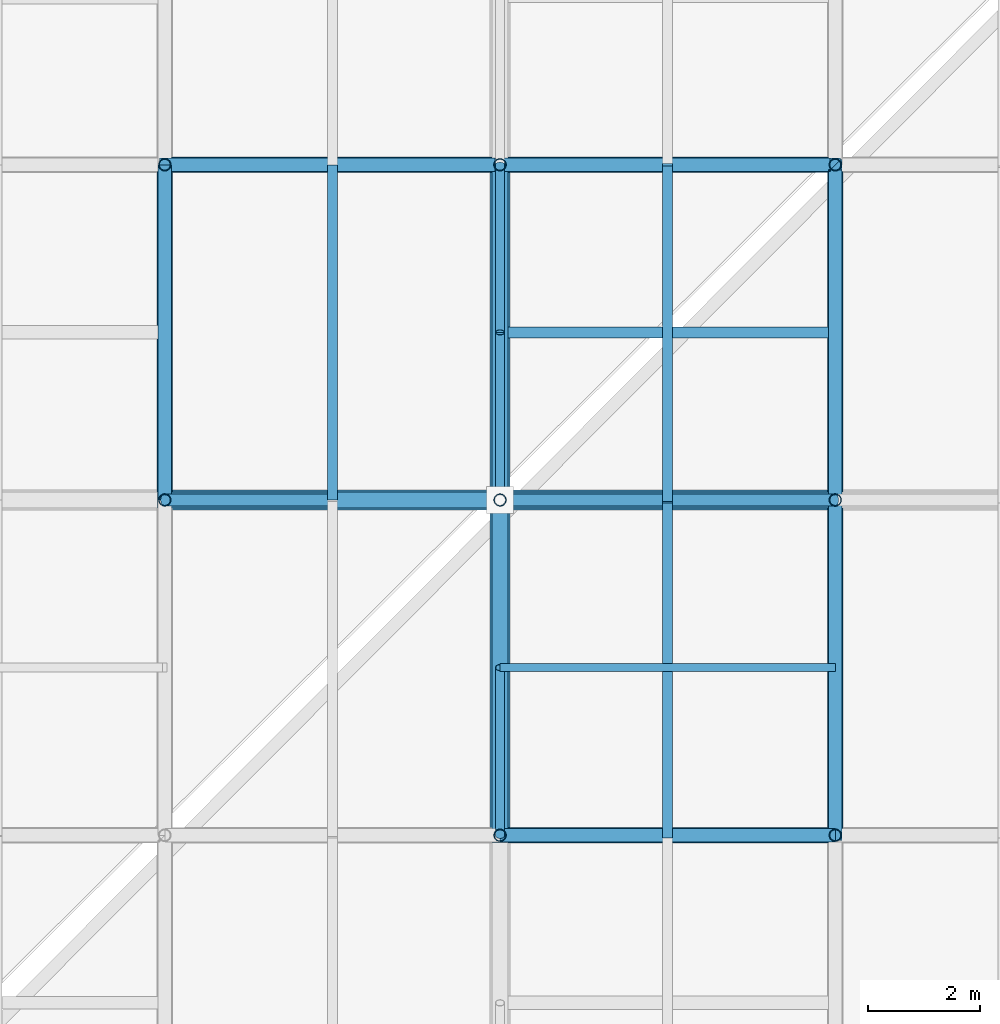
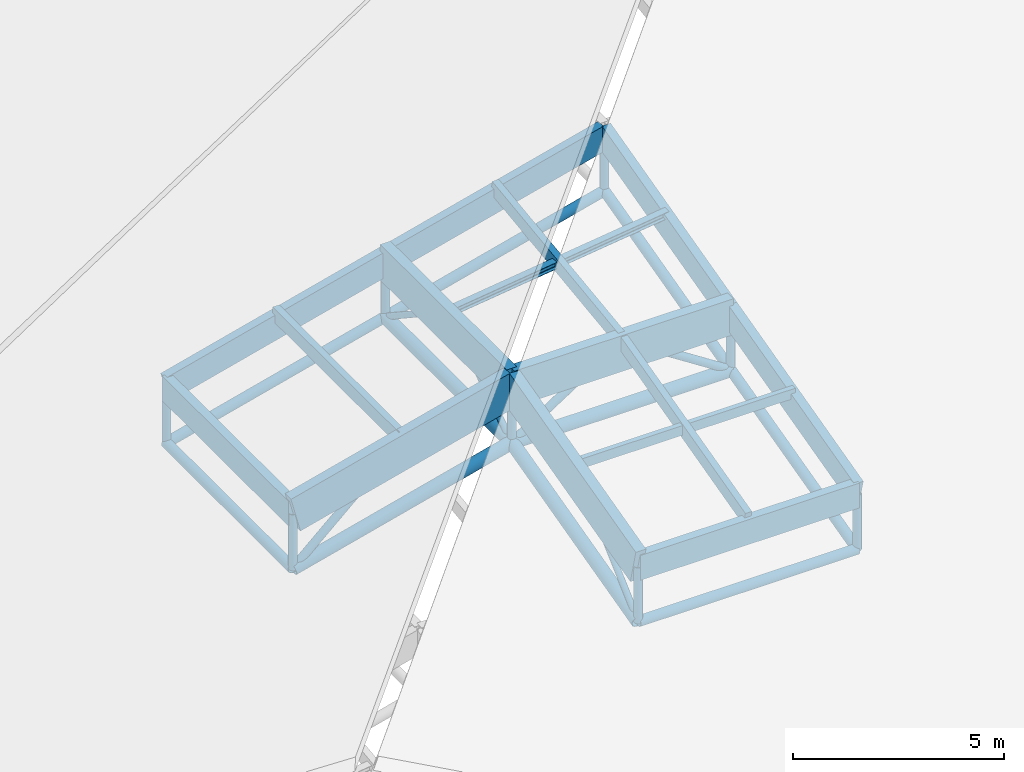
# One storey, part 7 of 80: 39 members.
"""IFC4 building model written with IfcOpenShell, lengths in metres."""

from ifc_helpers import new_model, si_unit, direction, frame, origin, origin_2d, place, context, subcontext, project, spatial, rectangle, hollow_circle, i_section, extrude, material, material_profile, profile_set, type_object, element, save


model = new_model("IFC4")

# Units and contexts
model_context = context("Model", 3, precision=1e-05, world=origin(), true_north=direction((0.0, 1.0)))
body_context = subcontext(model_context, "Body", "Model", "MODEL_VIEW")
ifc_project = project(units=[si_unit("LENGTHUNIT", "METRE"), si_unit("AREAUNIT", "SQUARE_METRE"), si_unit("VOLUMEUNIT", "CUBIC_METRE"), si_unit("PLANEANGLEUNIT", "RADIAN"), si_unit("MASSUNIT", "GRAM", prefix="KILO"), si_unit("THERMODYNAMICTEMPERATUREUNIT", "KELVIN"), si_unit("POWERUNIT", "WATT")], contexts=[model_context])

# Site, building, storey
site_placement = place(None, origin())
site = spatial("IfcSite", under=ifc_project, at=site_placement, CompositionType="ELEMENT")
building_placement = place(site_placement, origin())
building = spatial("IfcBuilding", under=site, at=building_placement, Name="Solmara Park Aquatics Centre", CompositionType="ELEMENT")
storey_placement = place(building_placement, frame((0.0, 0.0, 22.800048828125)))
storey = spatial("IfcBuildingStorey", under=building, at=storey_placement, Name="RF", CompositionType="ELEMENT", Elevation=22.800048828125)

# Members
ifc_material_1 = material(Name="Structural Steel S355", Category="steel")
ifc_material_profile_1 = material_profile(ifc_material_1, hollow_circle(Radius=0.084228515625, WallThickness=0.008056640625, at=origin_2d()), Name="CHS 168.3x8")
ifc_profile_set_1 = profile_set([ifc_material_profile_1], Name="Structural Steel S355")
member_type_1 = type_object("IfcMemberType", Name="STR-BRC-CHS168", PredefinedType="BRACE", material=ifc_profile_set_1)
member_1_placement = place(storey_placement, frame((24.60009765625, 18.60009765625, -9.58984375), z_axis=(0.0, 0.736437262703, 0.67650584484), x_axis=(-1.0, 0.0, 0.0)))
element("IfcMember", 1, at=member_1_placement, inside=storey, type_object=member_type_1, Name="Roof Truss Web Diagonal Y 1917", PredefinedType="BRACE", context=body_context, shape_type="SweptSolid", body=[
    extrude(hollow_circle(Radius=0.084228515625, WallThickness=0.008056640625, at=origin_2d()), origin(), (0.0, 0.0, 1.0), 4.07373046875),
])
for number, where, z_axis, x_axis, name in (
    (2, (24.60009765625, 24.60009765625, -8.0380859375), (0.0, 0.834611904619, 0.550838423377), (-1.0, 0.0, 0.0), "Roof Truss Web Diagonal Y 1940"),
    (3, (24.60009765625, 30.60009765625, -8.0380859375), (0.0, -0.834611904619, 0.550838423377), (1.0, 0.0, 0.0), "Roof Truss Web Diagonal Y 1941"),
):
    element("IfcMember", number, at=place(storey_placement, frame(where, z_axis=z_axis, x_axis=x_axis)), inside=storey, type_object=member_type_1, Name=name, PredefinedType="BRACE", context=body_context, shape_type="SweptSolid", body=[
        extrude(hollow_circle(Radius=0.084228515625, WallThickness=0.008056640625, at=origin_2d()), origin(), (0.0, 0.0, 1.0), 3.594482421875),
    ])
ifc_material_profile_2 = material_profile(ifc_material_1, hollow_circle(Radius=0.109619140625, WallThickness=0.010009765625, at=origin_2d()), Name="CHS 219.1x10")
ifc_profile_set_2 = profile_set([ifc_material_profile_2], Name="Structural Steel S355")
member_type_2 = type_object("IfcMemberType", Name="STR-BRC-CHS219", PredefinedType="BRACE", material=ifc_profile_set_2)
member_2_placement = place(storey_placement, frame((18.60009765625, 24.60009765625, -9.58984375), z_axis=(0.741347083846, 0.0, 0.671121822974), x_axis=(0.0, 1.0, 0.0)))
element("IfcMember", 4, at=member_2_placement, inside=storey, type_object=member_type_2, Name="Roof Truss Web Diagonal X 1439", PredefinedType="BRACE", context=body_context, shape_type="SweptSolid", body=[
    extrude(hollow_circle(Radius=0.109619140625, WallThickness=0.010009765625, at=origin_2d()), origin(), (0.0, 0.0, 1.0), 4.046630859375),
])
for number, where, z_axis, x_axis, name in (
    (5, (24.60009765625, 24.60009765625, -8.0380859375), (0.83972779743, 0.0, 0.543007574738), (0.0, 1.0, 0.0), "Roof Truss Web Diagonal X 1465"),
    (6, (30.60009765625, 24.60009765625, -8.0380859375), (-0.83972779743, 0.0, 0.543007574738), (0.0, -1.0, 0.0), "Roof Truss Web Diagonal X 1466"),
):
    element("IfcMember", number, at=place(storey_placement, frame(where, z_axis=z_axis, x_axis=x_axis)), inside=storey, type_object=member_type_2, Name=name, PredefinedType="BRACE", context=body_context, shape_type="SweptSolid", body=[
        extrude(hollow_circle(Radius=0.109619140625, WallThickness=0.010009765625, at=origin_2d()), origin(), (0.0, 0.0, 1.0), 3.572509765625),
    ])
ifc_material_profile_3 = material_profile(ifc_material_1, hollow_circle(Radius=0.136474609375, WallThickness=0.012451171875, at=origin_2d()), Name="CHS 273x12.5")
ifc_profile_set_3 = profile_set([ifc_material_profile_3], Name="Structural Steel S355")
member_type_3 = type_object("IfcMemberType", Name="STR-CHD-CHS273", PredefinedType="CHORD", material=ifc_profile_set_3)
member_3_placement = place(storey_placement, frame((24.60009765625, 18.60009765625, -9.58984375), z_axis=(1.0, 0.0, 0.0), x_axis=(0.0, 1.0, 0.0)))
element("IfcMember", 7, at=member_3_placement, inside=storey, type_object=member_type_3, Name="Steel Roof Truss Bottom Chord X 0118", PredefinedType="CHORD", context=body_context, shape_type="SweptSolid", body=[
    extrude(hollow_circle(Radius=0.136474609375, WallThickness=0.012451171875, at=origin_2d()), origin(), (0.0, 0.0, 1.0), 6.0),
])
for number, where, z_axis, x_axis, name in (
    (8, (18.60009765625, 30.60009765625, -9.58984375), (0.968145594442, 0.0, 0.250387914969), (0.0, 1.0, 0.0), "Steel Roof Truss Bottom Chord X 0188"),
    (9, (24.60009765625, 30.60009765625, -8.0380859375), (0.968145594442, 0.0, 0.250387914969), (0.0, 1.0, 0.0), "Steel Roof Truss Bottom Chord X 0190"),
):
    element("IfcMember", number, at=place(storey_placement, frame(where, z_axis=z_axis, x_axis=x_axis)), inside=storey, type_object=member_type_3, Name=name, PredefinedType="CHORD", context=body_context, shape_type="SweptSolid", body=[
        extrude(hollow_circle(Radius=0.136474609375, WallThickness=0.012451171875, at=origin_2d()), origin(), (0.0, 0.0, 1.0), 6.197509765625),
    ])
member_4_placement = place(storey_placement, frame((18.60009765625, 24.60009765625, -9.58984375), z_axis=(0.0, 1.0, 0.0), x_axis=(-1.0, 0.0, 0.0)))
element("IfcMember", 10, at=member_4_placement, inside=storey, type_object=member_type_3, Name="Steel Roof Truss Bottom Chord Y 0634", PredefinedType="CHORD", context=body_context, shape_type="SweptSolid", body=[
    extrude(hollow_circle(Radius=0.136474609375, WallThickness=0.012451171875, at=origin_2d()), origin(), (0.0, 0.0, 1.0), 6.0),
])
for number, where, z_axis, x_axis, name in (
    (11, (30.60009765625, 18.60009765625, -9.58984375), (0.0, 0.968145594442, 0.250387914969), (-1.0, 0.0, 0.0), "Steel Roof Truss Bottom Chord Y 0688"),
    (12, (30.60009765625, 24.60009765625, -8.0380859375), (0.0, 0.968145594442, 0.250387914969), (-1.0, 0.0, 0.0), "Steel Roof Truss Bottom Chord Y 0690"),
):
    element("IfcMember", number, at=place(storey_placement, frame(where, z_axis=z_axis, x_axis=x_axis)), inside=storey, type_object=member_type_3, Name=name, PredefinedType="CHORD", context=body_context, shape_type="SweptSolid", body=[
        extrude(hollow_circle(Radius=0.136474609375, WallThickness=0.012451171875, at=origin_2d()), origin(), (0.0, 0.0, 1.0), 6.197509765625),
    ])
ifc_material_profile_4 = material_profile(ifc_material_1, hollow_circle(Radius=0.177734375, WallThickness=0.01611328125, at=origin_2d()), Name="CHS 355.6x16")
ifc_profile_set_4 = profile_set([ifc_material_profile_4], Name="Structural Steel S355")
member_type_4 = type_object("IfcMemberType", Name="STR-CHD-CHS355", PredefinedType="CHORD", material=ifc_profile_set_4)
member_5_placement = place(storey_placement, frame((18.60009765625, 24.60009765625, -9.58984375), z_axis=(0.968145594442, 0.0, 0.250387914969), x_axis=(0.0, 1.0, 0.0)))
element("IfcMember", 13, at=member_5_placement, inside=storey, type_object=member_type_4, Name="Steel Roof Truss Bottom Chord X 0152", PredefinedType="CHORD", context=body_context, shape_type="SweptSolid", body=[
    extrude(hollow_circle(Radius=0.177734375, WallThickness=0.01611328125, at=origin_2d()), origin(), (0.0, 0.0, 1.0), 6.197509765625),
])
member_6_placement = place(storey_placement, frame((24.60009765625, 24.60009765625, -8.0380859375), z_axis=(1.0, 0.0, 0.0), x_axis=(0.0, 1.0, 0.0)))
element("IfcMember", 14, at=member_6_placement, inside=storey, type_object=member_type_4, Name="Steel Roof Truss Bottom Chord X 0154", PredefinedType="CHORD", context=body_context, shape_type="SweptSolid", body=[
    extrude(hollow_circle(Radius=0.177734375, WallThickness=0.01611328125, at=origin_2d()), origin(), (0.0, 0.0, 1.0), 6.0),
])
member_7_placement = place(storey_placement, frame((24.60009765625, 18.60009765625, -9.58984375), z_axis=(0.0, 0.968145594442, 0.250387914969), x_axis=(-1.0, 0.0, 0.0)))
element("IfcMember", 15, at=member_7_placement, inside=storey, type_object=member_type_4, Name="Steel Roof Truss Bottom Chord Y 0660", PredefinedType="CHORD", context=body_context, shape_type="SweptSolid", body=[
    extrude(hollow_circle(Radius=0.177734375, WallThickness=0.01611328125, at=origin_2d()), origin(), (0.0, 0.0, 1.0), 6.197509765625),
])
member_8_placement = place(storey_placement, frame((24.60009765625, 24.60009765625, -8.0380859375), z_axis=(0.0, 1.0, 0.0), x_axis=(-1.0, 0.0, 0.0)))
element("IfcMember", 16, at=member_8_placement, inside=storey, type_object=member_type_4, Name="Steel Roof Truss Bottom Chord Y 0662", PredefinedType="CHORD", context=body_context, shape_type="SweptSolid", body=[
    extrude(hollow_circle(Radius=0.177734375, WallThickness=0.01611328125, at=origin_2d()), origin(), (0.0, 0.0, 1.0), 6.0),
])
ifc_material_2 = material(Name="Glulam Timber GL28h", Category="wood")
ifc_material_profile_5 = material_profile(ifc_material_2, rectangle(XDim=0.239990234375, YDim=0.719970703125, at=origin_2d()), Name="GL28h 240x720")
ifc_profile_set_5 = profile_set([ifc_material_profile_5], Name="Glulam Timber GL28h")
member_type_5 = type_object("IfcMemberType", Name="STR-CHD-GL240x720", PredefinedType="CHORD", material=ifc_profile_set_5)
member_9_placement = place(storey_placement, frame((24.60009765625, 18.60009765625, -7.9697265625), z_axis=(1.0, 0.0, 0.0), x_axis=(0.0, 1.0, 0.0)))
element("IfcMember", 17, at=member_9_placement, inside=storey, type_object=member_type_5, Name="Glulam Roof Truss Top Chord X 0117", PredefinedType="CHORD", context=body_context, shape_type="SweptSolid", body=[
    extrude(rectangle(XDim=0.239990234375, YDim=0.719970703125, at=origin_2d()), origin(), (0.0, 0.0, 1.0), 6.0),
])
member_10_placement = place(storey_placement, frame((18.60009765625, 30.60009765625, -7.9697265625), z_axis=(0.968145594442, 0.0, 0.250387914969), x_axis=(0.0, 1.0, 0.0)))
element("IfcMember", 18, at=member_10_placement, inside=storey, type_object=member_type_5, Name="Glulam Roof Truss Top Chord X 0187", PredefinedType="CHORD", context=body_context, shape_type="SweptSolid", body=[
    extrude(rectangle(XDim=0.239990234375, YDim=0.719970703125, at=origin_2d()), origin(), (0.0, 0.0, 1.0), 6.197509765625),
])
member_11_placement = place(storey_placement, frame((24.60009765625, 30.60009765625, -6.41796875), z_axis=(0.968155143395, 0.0, 0.250350990246), x_axis=(0.0, 1.0, 0.0)))
element("IfcMember", 19, at=member_11_placement, inside=storey, type_object=member_type_5, Name="Glulam Roof Truss Top Chord X 0189", PredefinedType="CHORD", context=body_context, shape_type="SweptSolid", body=[
    extrude(rectangle(XDim=0.239990234375, YDim=0.719970703125, at=origin_2d()), origin(), (0.0, 0.0, 1.0), 6.197265625),
])
member_12_placement = place(storey_placement, frame((18.60009765625, 24.60009765625, -7.9697265625), z_axis=(0.0, 1.0, 0.0), x_axis=(-1.0, 0.0, 0.0)))
element("IfcMember", 20, at=member_12_placement, inside=storey, type_object=member_type_5, Name="Glulam Roof Truss Top Chord Y 0633", PredefinedType="CHORD", context=body_context, shape_type="SweptSolid", body=[
    extrude(rectangle(XDim=0.239990234375, YDim=0.719970703125, at=origin_2d()), origin(), (0.0, 0.0, 1.0), 6.0),
])
member_13_placement = place(storey_placement, frame((30.60009765625, 18.60009765625, -7.9697265625), z_axis=(0.0, 0.968145594442, 0.250387914969), x_axis=(-1.0, 0.0, 0.0)))
element("IfcMember", 21, at=member_13_placement, inside=storey, type_object=member_type_5, Name="Glulam Roof Truss Top Chord Y 0687", PredefinedType="CHORD", context=body_context, shape_type="SweptSolid", body=[
    extrude(rectangle(XDim=0.239990234375, YDim=0.719970703125, at=origin_2d()), origin(), (0.0, 0.0, 1.0), 6.197509765625),
])
member_14_placement = place(storey_placement, frame((30.60009765625, 24.60009765625, -6.41796875), z_axis=(0.0, 0.968155143395, 0.250350990246), x_axis=(-1.0, 0.0, 0.0)))
element("IfcMember", 22, at=member_14_placement, inside=storey, type_object=member_type_5, Name="Glulam Roof Truss Top Chord Y 0689", PredefinedType="CHORD", context=body_context, shape_type="SweptSolid", body=[
    extrude(rectangle(XDim=0.239990234375, YDim=0.719970703125, at=origin_2d()), origin(), (0.0, 0.0, 1.0), 6.197265625),
])
ifc_material_profile_6 = material_profile(ifc_material_2, rectangle(XDim=0.280029296875, YDim=1.0400390625, at=origin_2d()), Name="GL28h 280x1040")
ifc_profile_set_6 = profile_set([ifc_material_profile_6], Name="Glulam Timber GL28h")
member_type_6 = type_object("IfcMemberType", Name="STR-CHD-GL280x1040", PredefinedType="CHORD", material=ifc_profile_set_6)
member_15_placement = place(storey_placement, frame((18.60009765625, 24.60009765625, -7.9697265625), z_axis=(0.968145594442, 0.0, 0.250387914969), x_axis=(0.0, 1.0, 0.0)))
element("IfcMember", 23, at=member_15_placement, inside=storey, type_object=member_type_6, Name="Glulam Roof Truss Top Chord X 0151", PredefinedType="CHORD", context=body_context, shape_type="SweptSolid", body=[
    extrude(rectangle(XDim=0.280029296875, YDim=1.0400390625, at=origin_2d()), origin(), (0.0, 0.0, 1.0), 6.197509765625),
])
member_16_placement = place(storey_placement, frame((24.60009765625, 24.60009765625, -6.41796875), z_axis=(1.0, 0.0, 0.0), x_axis=(0.0, 1.0, 0.0)))
element("IfcMember", 24, at=member_16_placement, inside=storey, type_object=member_type_6, Name="Glulam Roof Truss Top Chord X 0153", PredefinedType="CHORD", context=body_context, shape_type="SweptSolid", body=[
    extrude(rectangle(XDim=0.280029296875, YDim=1.0400390625, at=origin_2d()), origin(), (0.0, 0.0, 1.0), 6.0),
])
member_17_placement = place(storey_placement, frame((24.60009765625, 18.60009765625, -7.9697265625), z_axis=(0.0, 0.968145594442, 0.250387914969), x_axis=(-1.0, 0.0, 0.0)))
element("IfcMember", 25, at=member_17_placement, inside=storey, type_object=member_type_6, Name="Glulam Roof Truss Top Chord Y 0659", PredefinedType="CHORD", context=body_context, shape_type="SweptSolid", body=[
    extrude(rectangle(XDim=0.280029296875, YDim=1.0400390625, at=origin_2d()), origin(), (0.0, 0.0, 1.0), 6.197509765625),
])
member_18_placement = place(storey_placement, frame((24.60009765625, 24.60009765625, -6.41796875), z_axis=(0.0, 1.0, 0.0), x_axis=(-1.0, 0.0, 0.0)))
element("IfcMember", 26, at=member_18_placement, inside=storey, type_object=member_type_6, Name="Glulam Roof Truss Top Chord Y 0661", PredefinedType="CHORD", context=body_context, shape_type="SweptSolid", body=[
    extrude(rectangle(XDim=0.280029296875, YDim=1.0400390625, at=origin_2d()), origin(), (0.0, 0.0, 1.0), 6.0),
])
ifc_material_profile_7 = material_profile(ifc_material_2, rectangle(XDim=0.139892578125, YDim=0.280029296875, at=origin_2d()), Name="GL28h 140x280")
ifc_profile_set_7 = profile_set([ifc_material_profile_7], Name="Glulam Timber GL28h")
member_type_7 = type_object("IfcMemberType", Name="STR-PRL-GL140x280", PredefinedType="PURLIN", material=ifc_profile_set_7)
member_19_placement = place(storey_placement, frame((24.60009765625, 21.60009765625, -6.85400390625), z_axis=(1.0, 0.0, 0.0), x_axis=(0.0, 1.0, 0.0)))
element("IfcMember", 27, at=member_19_placement, inside=storey, type_object=member_type_7, Name="Glulam Secondary Roof Purlin 1906", PredefinedType="PURLIN", context=body_context, shape_type="SweptSolid", body=[
    extrude(rectangle(XDim=0.139892578125, YDim=0.280029296875, at=origin_2d()), origin(), (0.0, 0.0, 1.0), 6.0),
])
ifc_material_profile_8 = material_profile(ifc_material_2, rectangle(XDim=0.179931640625, YDim=0.39990234375, at=origin_2d()), Name="GL28h 180x400")
ifc_profile_set_8 = profile_set([ifc_material_profile_8], Name="Glulam Timber GL28h")
member_type_8 = type_object("IfcMemberType", Name="STR-PRL-GL180x400", PredefinedType="PURLIN", material=ifc_profile_set_8)
member_20_placement = place(storey_placement, frame((21.60009765625, 24.60009765625, -6.8740234375), z_axis=(0.0, 1.0, 0.0), x_axis=(-1.0, 0.0, 0.0)))
element("IfcMember", 28, at=member_20_placement, inside=storey, type_object=member_type_8, Name="Glulam Roof Purlin 1425", PredefinedType="PURLIN", context=body_context, shape_type="SweptSolid", body=[
    extrude(rectangle(XDim=0.179931640625, YDim=0.39990234375, at=origin_2d()), origin(), (0.0, 0.0, 1.0), 6.0),
])
member_21_placement = place(storey_placement, frame((27.60009765625, 18.60009765625, -7.649658203125), z_axis=(0.0, 0.968155143395, 0.250350990246), x_axis=(-1.0, 0.0, 0.0)))
element("IfcMember", 29, at=member_21_placement, inside=storey, type_object=member_type_8, Name="Glulam Roof Purlin 1450", PredefinedType="PURLIN", context=body_context, shape_type="SweptSolid", body=[
    extrude(rectangle(XDim=0.179931640625, YDim=0.39990234375, at=origin_2d()), origin(), (0.0, 0.0, 1.0), 6.197265625),
])
member_22_placement = place(storey_placement, frame((27.60009765625, 24.60009765625, -6.09814453125), z_axis=(0.0, 0.991742472473, 0.128245344137), x_axis=(-1.0, 0.0, 0.0)))
element("IfcMember", 30, at=member_22_placement, inside=storey, type_object=member_type_8, Name="Glulam Roof Purlin 1451", PredefinedType="PURLIN", context=body_context, shape_type="SweptSolid", body=[
    extrude(rectangle(XDim=0.179931640625, YDim=0.39990234375, at=origin_2d()), origin(), (0.0, 0.0, 1.0), 6.050048828125),
])
ifc_material_profile_9 = material_profile(ifc_material_1, i_section(OverallWidth=0.199951171875, OverallDepth=0.18994140625, WebThickness=0.006591796875, FlangeThickness=0.010009765625, FilletRadius=0.01806640625, at=origin_2d()), Name="HEA 200")
ifc_profile_set_9 = profile_set([ifc_material_profile_9], Name="Structural Steel S355")
member_type_9 = type_object("IfcMemberType", Name="STR-PRL-HEA200", PredefinedType="PURLIN", material=ifc_profile_set_9)
member_23_placement = place(storey_placement, frame((24.60009765625, 27.60009765625, -6.078125), z_axis=(0.991742472473, 0.0, 0.128245344137), x_axis=(0.0, 1.0, 0.0)))
element("IfcMember", 31, at=member_23_placement, inside=storey, type_object=member_type_9, Name="Glulam Secondary Roof Purlin 1929", PredefinedType="PURLIN", context=body_context, shape_type="SweptSolid", body=[
    extrude(i_section(OverallWidth=0.199951171875, OverallDepth=0.18994140625, WebThickness=0.006591796875, FlangeThickness=0.010009765625, FilletRadius=0.01806640625, at=origin_2d()), origin(), (0.0, 0.0, 1.0), 6.050048828125),
])
ifc_material_profile_10 = material_profile(ifc_material_1, hollow_circle(Radius=0.109619140625, WallThickness=0.010009765625, at=origin_2d()), Name="CHS 219.1x10")
ifc_profile_set_10 = profile_set([ifc_material_profile_10], Name="Structural Steel S355")
member_type_10 = type_object("IfcMemberType", Name="STR-PST-CHS219", PredefinedType="POST", material=ifc_profile_set_10)
for number, where, z_axis, x_axis, name in (
    (32, (18.60009765625, 24.60009765625, -9.58984375), (0.0, 0.0, 1.0), (1.0, 0.0, 0.0), "Roof Truss Web Post 1118"),
    (33, (18.60009765625, 30.60009765625, -9.58984375), (0.0, 0.0, 1.0), (1.0, 0.0, 0.0), "Roof Truss Web Post 1119"),
    (34, (24.60009765625, 18.60009765625, -9.58984375), (0.0, 0.0, 1.0), (1.0, 0.0, 0.0), "Roof Truss Web Post 1131"),
    (35, (24.60009765625, 24.60009765625, -8.0380859375), (0.0, 0.0, 1.0), (1.0, 0.0, 0.0), "Roof Truss Web Post 1132"),
    (36, (24.60009765625, 30.60009765625, -8.0380859375), (0.0, 0.0, 1.0), (1.0, 0.0, 0.0), "Roof Truss Web Post 1133"),
    (37, (30.60009765625, 18.60009765625, -9.58984375), (0.0, 0.0, 1.0), (1.0, 0.0, 0.0), "Roof Truss Web Post 1145"),
    (38, (30.60009765625, 24.60009765625, -8.0380859375), (0.0, 0.0, 1.0), (1.0, 0.0, 0.0), "Roof Truss Web Post 1146"),
):
    element("IfcMember", number, at=place(storey_placement, frame(where, z_axis=z_axis, x_axis=x_axis)), inside=storey, type_object=member_type_10, Name=name, PredefinedType="POST", context=body_context, shape_type="SweptSolid", body=[
        extrude(hollow_circle(Radius=0.109619140625, WallThickness=0.010009765625, at=origin_2d()), origin(), (0.0, 0.0, 1.0), 1.6201171875),
    ])
member_24_placement = place(storey_placement, frame((30.60009765625, 30.60009765625, -6.486328125), z_axis=(0.0, 0.0, 1.0), x_axis=(1.0, 0.0, 0.0)))
element("IfcMember", 39, at=member_24_placement, inside=storey, type_object=member_type_10, Name="Roof Truss Web Post 1147", PredefinedType="POST", context=body_context, shape_type="SweptSolid", body=[
    extrude(hollow_circle(Radius=0.109619140625, WallThickness=0.010009765625, at=origin_2d()), origin(), (0.0, 0.0, 1.0), 1.619873046875),
])

save(model, "model.ifc")
